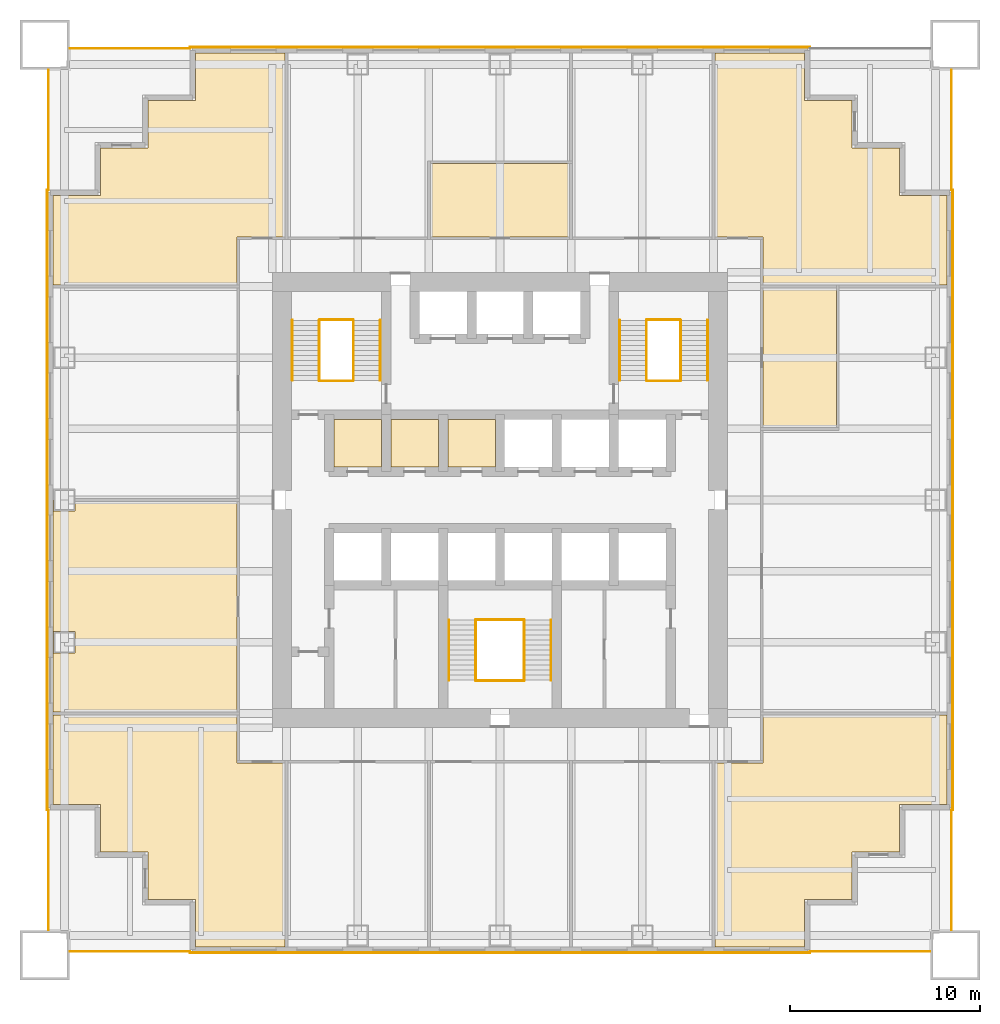
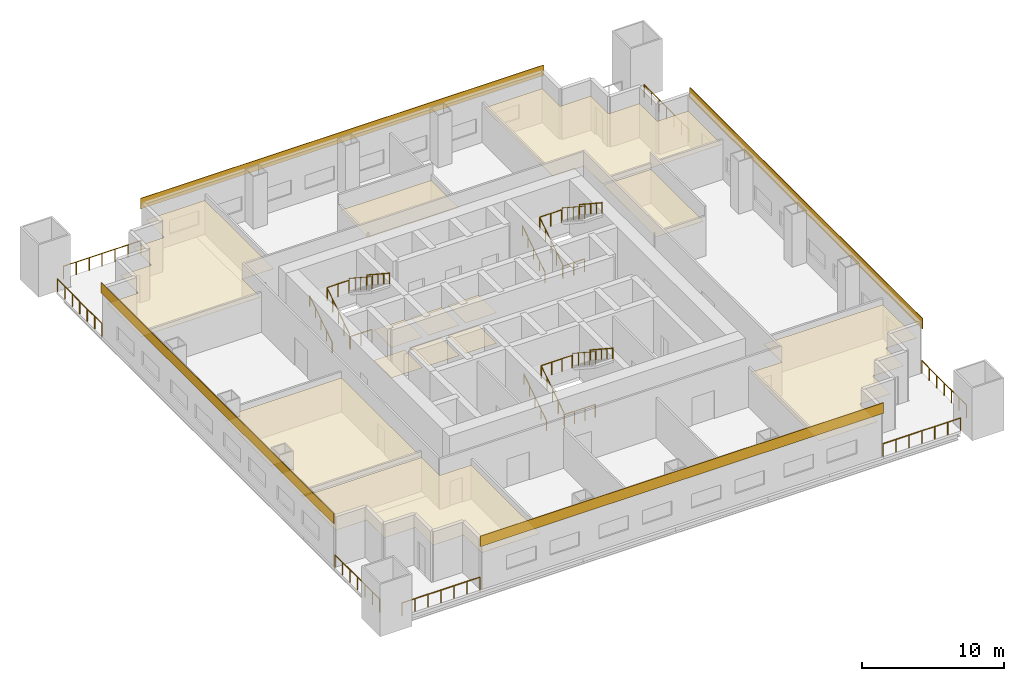
# One storey, part 6 of 7: 25 railings, 17 coverings.
"""IFC4 building model written with IfcOpenShell, lengths in metres."""

import ifcopenshell
import ifcopenshell.guid

model = None  # the IFC model being written
_history = None  # IfcOwnerHistory: only IFC2X3 demands one
_inside = {}  # id of a spatial element -> (the spatial element, [elements in it])
_under = {}  # id of a project, library or spatial element -> (it, [spatial elements below it])
_declared = {}  # id of a project -> (the project, [libraries it declares])
_typed = {}  # id of a type object -> (the type object, [elements of that type])
_made_of = {}  # id of a material, layer set ... -> (it, [elements and type objects made of it])


def new_model(schema):
    """Start an empty IFC model of exactly this schema.

    Asked for "IFC4X3", IfcOpenShell would pick the latest addendum, in which some entities
    have other attributes; the version numbers below select the first issue.
    IFC2X3 requires an IfcOwnerHistory on every rooted entity: one is made here for all.
    """
    global model, _history
    if schema == "IFC4X3":
        model = ifcopenshell.file(schema_version=(4, 3, 0, 0))
    else:
        model = ifcopenshell.file(schema=schema)
    _inside.clear()
    _under.clear()
    _declared.clear()
    _typed.clear()
    _made_of.clear()
    _history = None
    if model.schema == "IFC2X3":
        org = make("IfcOrganization", Name="unknown")
        user = make(
            "IfcPersonAndOrganization",
            ThePerson=make("IfcPerson", FamilyName="unknown"),
            TheOrganization=org,
        )
        app = make(
            "IfcApplication",
            ApplicationDeveloper=org,
            Version="unknown",
            ApplicationFullName="unknown",
            ApplicationIdentifier="unknown",
        )
        _history = make(
            "IfcOwnerHistory",
            OwningUser=user,
            OwningApplication=app,
            ChangeAction="ADDED",
            CreationDate=0,
        )
    return model


def make(cls, **values):
    """One entity of the class cls with the attributes given. An attribute that is None is left unset."""
    return model.create_entity(
        cls, **{name: value for name, value in values.items() if value is not None}
    )


def rooted(cls, **values):
    """An entity with a GlobalId (a new one), such as an element, a storey or a relation."""
    return make(cls, GlobalId=ifcopenshell.guid.new(), OwnerHistory=_history, **values)


def si_unit(unit_type, name, prefix=None):
    """IfcSIUnit, for example si_unit("LENGTHUNIT", "METRE", prefix="MILLI")."""
    return make("IfcSIUnit", UnitType=unit_type, Prefix=prefix, Name=name)


def assignment(units):
    """IfcUnitAssignment: the units of a project."""
    return None if units is None else make("IfcUnitAssignment", Units=units)


def point(xyz):
    """IfcCartesianPoint."""
    return None if xyz is None else make("IfcCartesianPoint", Coordinates=xyz)


def direction(xyz):
    """IfcDirection."""
    return None if xyz is None else make("IfcDirection", DirectionRatios=xyz)


def frame(location, z_axis=None, x_axis=None):
    """IfcAxis2Placement3D, a coordinate frame: its origin and axes. An axis left out is left unset."""
    return make(
        "IfcAxis2Placement3D",
        Location=point(location),
        Axis=direction(z_axis),
        RefDirection=direction(x_axis),
    )


def frame_2d(location, x_axis=None):
    """IfcAxis2Placement2D, a coordinate frame in the plane: its origin and x axis."""
    return make(
        "IfcAxis2Placement2D", Location=point(location), RefDirection=direction(x_axis)
    )


def origin():
    """The frame at (0, 0, 0) with its axes left unset."""
    return frame((0.0, 0.0, 0.0))


def origin_2d():
    """The frame at (0, 0) in the plane with its x axis left unset."""
    return frame_2d((0.0, 0.0))


def place(relative_to, where):
    """IfcLocalPlacement: puts the frame where relative to a parent placement (None: the world)."""
    return make(
        "IfcLocalPlacement", PlacementRelTo=relative_to, RelativePlacement=where
    )


def context(
    kind, dimensions, precision=None, world=None, true_north=None, identifier=None
):
    """IfcGeometricRepresentationContext, for example the 3D "Model" context."""
    return make(
        "IfcGeometricRepresentationContext",
        ContextIdentifier=identifier,
        ContextType=kind,
        CoordinateSpaceDimension=dimensions,
        Precision=precision,
        WorldCoordinateSystem=world,
        TrueNorth=true_north,
    )


def subcontext(parent, identifier, kind, view, scale=None):
    """IfcGeometricRepresentationSubContext, for example "Body" below "Model"."""
    return make(
        "IfcGeometricRepresentationSubContext",
        ContextIdentifier=identifier,
        ContextType=kind,
        ParentContext=parent,
        TargetScale=scale,
        TargetView=view,
    )


def project(units=None, contexts=None):
    """IfcProject with its units and contexts."""
    return rooted(
        "IfcProject",
        Name="project",
        RepresentationContexts=contexts,
        UnitsInContext=assignment(units),
    )


def spatial(cls, under=None, at=None, **own):
    """A site, building, storey or space (cls), placed at a placement, below another one or the project."""
    s = rooted(cls, ObjectPlacement=at, **own)
    if under is not None:
        _under.setdefault(under.id(), (under, []))[1].append(s)
    return s


def polyline(points):
    """IfcPolyline through the points."""
    return make("IfcPolyline", Points=[point(p) for p in points])


def profile(cls, at=None, kind="AREA", **sizes):
    """A parametric profile (cls). Its sizes go by their IFC names, for example OverallWidth=200.0."""
    return make(cls, ProfileType=kind, Position=at, **sizes)


def rectangle(**sizes):
    """IfcRectangleProfileDef."""
    return profile("IfcRectangleProfileDef", **sizes)


def circle(**sizes):
    """IfcCircleProfileDef."""
    return profile("IfcCircleProfileDef", **sizes)


def outline(outer, holes=None, kind="AREA"):
    """IfcArbitraryClosedProfileDef: a profile drawn as a closed curve; with holes, ...WithVoids."""
    if holes is None:
        return make("IfcArbitraryClosedProfileDef", ProfileType=kind, OuterCurve=outer)
    return make(
        "IfcArbitraryProfileDefWithVoids",
        ProfileType=kind,
        OuterCurve=outer,
        InnerCurves=holes,
    )


def extrude(swept, where, along, depth):
    """IfcExtrudedAreaSolid: the profile swept, set in the frame where, extruded along a direction by depth."""
    return make(
        "IfcExtrudedAreaSolid",
        SweptArea=swept,
        Position=where,
        ExtrudedDirection=direction(along),
        Depth=depth,
    )


def shape(context_of_items, identifier, shape_type, items):
    """IfcShapeRepresentation: the items that make up one representation, for example the "Body"."""
    return make(
        "IfcShapeRepresentation",
        ContextOfItems=context_of_items,
        RepresentationIdentifier=identifier,
        RepresentationType=shape_type,
        Items=items,
    )


def material(Name=None, Category=None):
    """IfcMaterial."""
    return make("IfcMaterial", Name=Name, Category=Category)


def layer(
    of_material, thickness, ventilated=None, Name=None, Category=None, Priority=None
):
    """IfcMaterialLayer: one layer of a wall or slab, of a material (None: an air gap)."""
    return make(
        "IfcMaterialLayer",
        Material=of_material,
        LayerThickness=thickness,
        IsVentilated=ventilated,
        Name=Name,
        Category=Category,
        Priority=Priority,
    )


def layer_set(layers, Name=None):
    """IfcMaterialLayerSet."""
    return make("IfcMaterialLayerSet", MaterialLayers=layers, LayerSetName=Name)


def made_of(thing, what):
    """Note that an element or type object is made of a material, layer set ...; save() writes the relation."""
    if what is not None:
        _made_of.setdefault(what.id(), (what, []))[1].append(thing)
    return thing


def type_object(cls, material=None, **own):
    """A type object (cls), such as IfcWallType, which elements share."""
    return made_of(rooted(cls, **own), material)


def element(
    cls,
    number,
    at=None,
    inside=None,
    cuts=None,
    type_object=None,
    material=None,
    context=None,
    identifier="Body",
    shape_type=None,
    held_by="IfcProductDefinitionShape",
    body=None,
    shapes=None,
    **own,
):
    """One element of the class cls, such as IfcWall. Its Tag is "e" and its number.

    at: its placement. inside: the storey or other place that contains it. cuts: it is an
    opening in that element (IfcRelVoidsElement). A single representation is given by context,
    identifier, shape_type and body (its items); several are given by shapes. held_by: the class
    of the entity that holds the representations. save() writes the other relations.
    """
    e = rooted(cls, Tag="e%d" % number, ObjectPlacement=at, **own)
    if body is not None:
        shapes = [shape(context, identifier, shape_type, body)]
    if shapes is not None:
        e.Representation = make(held_by, Representations=shapes)
    if inside is not None:
        _inside.setdefault(inside.id(), (inside, []))[1].append(e)
    if cuts is not None:
        rooted(
            "IfcRelVoidsElement", RelatingBuildingElement=cuts, RelatedOpeningElement=e
        )
    if type_object is not None:
        _typed.setdefault(type_object.id(), (type_object, []))[1].append(e)
    return made_of(e, material)


def aggregate(whole, parts):
    """IfcRelAggregates: a whole, such as a stair, and the parts it consists of."""
    return rooted("IfcRelAggregates", RelatingObject=whole, RelatedObjects=parts)


def save(model, path):
    """Write the relations noted so far, then the file.

    IfcRelAggregates (storeys below a building ...), IfcRelContainedInSpatialStructure (elements
    in a storey), IfcRelDefinesByType, IfcRelAssociatesMaterial and IfcRelDeclares: one each for
    every whole, place, type object, material and project.
    """
    for whole, parts in _under.values():
        aggregate(whole, parts)
    for where, things in _inside.values():
        rooted(
            "IfcRelContainedInSpatialStructure",
            RelatedElements=things,
            RelatingStructure=where,
        )
    for kind, things in _typed.values():
        rooted("IfcRelDefinesByType", RelatedObjects=things, RelatingType=kind)
    for what, things in _made_of.values():
        rooted("IfcRelAssociatesMaterial", RelatedObjects=things, RelatingMaterial=what)
    for by, libraries in _declared.values():
        rooted("IfcRelDeclares", RelatingContext=by, RelatedDefinitions=libraries)
    model.write(path)


model = new_model("IFC4")

# Units and contexts
model_context = context("Model", 3, precision=1e-05, world=origin(), true_north=direction((0.0, 1.0)))
body_context = subcontext(model_context, "Body", "Model", "MODEL_VIEW")
ifc_project = project(units=[si_unit("LENGTHUNIT", "METRE"), si_unit("AREAUNIT", "SQUARE_METRE"), si_unit("VOLUMEUNIT", "CUBIC_METRE"), si_unit("PLANEANGLEUNIT", "RADIAN"), si_unit("MASSUNIT", "GRAM", prefix="KILO")], contexts=[model_context])

# Site, building, storey
site_placement = place(None, origin())
site = spatial("IfcSite", under=ifc_project, at=site_placement, CompositionType="ELEMENT")
building_placement = place(site_placement, origin())
building = spatial("IfcBuilding", under=site, at=building_placement, Name="Tarangal Relay Tower", CompositionType="ELEMENT")
storey_placement = place(building_placement, frame((0.0, 0.0, 131.39990234375)))
storey = spatial("IfcBuildingStorey", under=building, at=storey_placement, Name="L26", CompositionType="ELEMENT", Elevation=131.39990234375)

# Coverings
ifc_material_1 = material(Name="Anti-static vinyl flooring", Category="plastic")
ifc_layer_1 = layer(ifc_material_1, 0.010009765625)
ifc_layer_set_1 = layer_set([ifc_layer_1], Name="Anti-static vinyl floor")
covering_type_1 = type_object("IfcCoveringType", Name="Anti-static vinyl floor", PredefinedType="FLOORING", material=ifc_layer_set_1)
covering_1_placement = place(storey_placement, origin())
element("IfcCovering", 1, at=covering_1_placement, inside=storey, type_object=covering_type_1, Name="Floor finish FL1 L26-D1", PredefinedType="FLOORING", context=body_context, shape_type="SweptSolid", body=[
    extrude(outline(polyline([(-8.75, 1.75), (-6.25, 1.75), (-6.25, 4.25), (-8.75, 4.25), (-8.75, 1.75)])), origin(), (0.0, 0.0, 1.0), 0.010009765625),
])
covering_2_placement = place(storey_placement, origin())
element("IfcCovering", 2, at=covering_2_placement, inside=storey, type_object=covering_type_1, Name="Floor finish FL1 L26-D2", PredefinedType="FLOORING", context=body_context, shape_type="SweptSolid", body=[
    extrude(outline(polyline([(-5.75, 1.75), (-3.25, 1.75), (-3.25, 4.25), (-5.75, 4.25), (-5.75, 1.75)])), origin(), (0.0, 0.0, 1.0), 0.010009765625),
])
covering_3_placement = place(storey_placement, origin())
element("IfcCovering", 3, at=covering_3_placement, inside=storey, type_object=covering_type_1, Name="Floor finish FL1 L26-D3", PredefinedType="FLOORING", context=body_context, shape_type="SweptSolid", body=[
    extrude(outline(polyline([(-2.75, 1.75), (-0.25, 1.75), (-0.25, 4.25), (-2.75, 4.25), (-2.75, 1.75)])), origin(), (0.0, 0.0, 1.0), 0.010009765625),
])
ifc_material_2 = material(Name="Black anodised aluminium cladding", Category="aluminium")
ifc_layer_2 = layer(ifc_material_2, 0.050048828125)
ifc_layer_set_2 = layer_set([ifc_layer_2], Name="Black metal spandrel band")
covering_type_2 = type_object("IfcCoveringType", Name="Black metal spandrel band", PredefinedType="CLADDING", material=ifc_layer_set_2)
for number, where, z_axis, x_axis, name in (
    (4, (0.0, 23.875, 3.750244140625), (0.0, 0.0, 1.0), (1.0, 0.0, 0.0), "Spandrel band SB1 N L26"),
    (5, (23.875, 0.0, 3.750244140625), (0.0, 0.0, 1.0), (0.0, -1.0, 0.0), "Spandrel band SB1 E L26"),
    (6, (0.0, -23.875, 3.750244140625), (0.0, 0.0, 1.0), (-1.0, 0.0, 0.0), "Spandrel band SB1 S L26"),
    (7, (-23.875, 0.0, 3.750244140625), (0.0, 0.0, 1.0), (0.0, 1.0, 0.0), "Spandrel band SB1 W L26"),
):
    element("IfcCovering", number, at=place(storey_placement, frame(where, z_axis=z_axis, x_axis=x_axis)), inside=storey, type_object=covering_type_2, Name=name, PredefinedType="CLADDING", context=body_context, shape_type="SweptSolid", body=[
        extrude(rectangle(XDim=32.699951171875, YDim=0.050048828125, at=origin_2d()), origin(), (0.0, 0.0, 1.0), 0.89990234375),
    ])

# Railings
ifc_material_3 = material(Name="Steel guard, black finish", Category="steel")
railing_type_1 = type_object("IfcRailingType", Name="Stair guard 1100", PredefinedType="GUARDRAIL", material=ifc_material_3)
railing_1_placement = place(storey_placement, frame((-9.530029296875, 6.300048828125, 0.173095703125)))
element("IfcRailing", 8, at=railing_1_placement, inside=storey, type_object=railing_type_1, Name="Stair ST-A guard GR1 L26 flight 1", PredefinedType="GUARDRAIL", context=body_context, shape_type="SweptSolid", body=[
    extrude(circle(Radius=0.02392578125, at=origin_2d()), frame((0.0, 0.0, 1.076171875), z_axis=(0.0, 0.83629911093, 0.548273469226), x_axis=(-1.0, 0.0, 0.0)), (0.0, 0.0, 1.0), 3.7880859375),
    extrude(circle(Radius=0.02099609375, at=origin_2d()), origin(), (0.0, 0.0, 1.0), 1.052001953125),
    extrude(circle(Radius=0.02099609375, at=origin_2d()), frame((0.0, 0.7919921875, 0.519287109375)), (0.0, 0.0, 1.0), 1.052001953125),
    extrude(circle(Radius=0.02099609375, at=origin_2d()), frame((0.0, 1.583984375, 1.03857421875)), (0.0, 0.0, 1.0), 1.052001953125),
    extrude(circle(Radius=0.02099609375, at=origin_2d()), frame((0.0, 2.3759765625, 1.5576171875)), (0.0, 0.0, 1.0), 1.052001953125),
    extrude(circle(Radius=0.02099609375, at=origin_2d()), frame((0.0, 3.16796875, 2.076904296875)), (0.0, 0.0, 1.0), 1.052001953125),
])
railing_2_placement = place(storey_placement, frame((-7.719970703125, 9.468017578125, 2.423095703125)))
element("IfcRailing", 9, at=railing_2_placement, inside=storey, type_object=railing_type_1, Name="Stair ST-A guard GR1 L26 flight 2", PredefinedType="GUARDRAIL", context=body_context, shape_type="SweptSolid", body=[
    extrude(circle(Radius=0.02392578125, at=origin_2d()), frame((0.0, 0.0, 1.076171875), z_axis=(0.0, -0.83629911093, 0.548273469226), x_axis=(1.0, 0.0, 0.0)), (0.0, 0.0, 1.0), 3.7880859375),
    extrude(circle(Radius=0.02099609375, at=origin_2d()), origin(), (0.0, 0.0, 1.0), 1.052001953125),
    extrude(circle(Radius=0.02099609375, at=origin_2d()), frame((0.0, -0.7919921875, 0.519287109375)), (0.0, 0.0, 1.0), 1.052001953125),
    extrude(circle(Radius=0.02099609375, at=origin_2d()), frame((0.0, -1.583984375, 1.03857421875)), (0.0, 0.0, 1.0), 1.052001953125),
    extrude(circle(Radius=0.02099609375, at=origin_2d()), frame((0.0, -2.3759765625, 1.5576171875)), (0.0, 0.0, 1.0), 1.052001953125),
    extrude(circle(Radius=0.02099609375, at=origin_2d()), frame((0.0, -3.16796875, 2.076904296875)), (0.0, 0.0, 1.0), 1.052001953125),
])
for number, where, name in (
    (10, (-9.5, 6.27001953125, 0.0), "Stair ST-A landing guard GR1 L26"),
    (11, (-9.5, 9.498046875, 2.25), "Stair ST-A landing guard GR1 L26"),
):
    element("IfcRailing", number, at=place(storey_placement, frame(where)), inside=storey, type_object=railing_type_1, Name=name, PredefinedType="GUARDRAIL", context=body_context, shape_type="SweptSolid", body=[
        extrude(circle(Radius=0.02392578125, at=origin_2d()), frame((0.0, 0.0, 1.076171875), z_axis=(1.0, 0.0, 0.0), x_axis=(0.0, 1.0, 0.0)), (0.0, 0.0, 1.0), 1.75),
        extrude(circle(Radius=0.02099609375, at=origin_2d()), origin(), (0.0, 0.0, 1.0), 1.052001953125),
        extrude(circle(Radius=0.02099609375, at=origin_2d()), frame((0.875, 0.0, 0.0)), (0.0, 0.0, 1.0), 1.052001953125),
        extrude(circle(Radius=0.02099609375, at=origin_2d()), frame((1.75, 0.0, 0.0)), (0.0, 0.0, 1.0), 1.052001953125),
    ])
railing_3_placement = place(storey_placement, frame((7.719970703125, 6.300048828125, 0.173095703125)))
element("IfcRailing", 12, at=railing_3_placement, inside=storey, type_object=railing_type_1, Name="Stair ST-B guard GR1 L26 flight 1", PredefinedType="GUARDRAIL", context=body_context, shape_type="SweptSolid", body=[
    extrude(circle(Radius=0.02392578125, at=origin_2d()), frame((0.0, 0.0, 1.076171875), z_axis=(0.0, 0.83629911093, 0.548273469226), x_axis=(-1.0, 0.0, 0.0)), (0.0, 0.0, 1.0), 3.7880859375),
    extrude(circle(Radius=0.02099609375, at=origin_2d()), origin(), (0.0, 0.0, 1.0), 1.052001953125),
    extrude(circle(Radius=0.02099609375, at=origin_2d()), frame((0.0, 0.7919921875, 0.519287109375)), (0.0, 0.0, 1.0), 1.052001953125),
    extrude(circle(Radius=0.02099609375, at=origin_2d()), frame((0.0, 1.583984375, 1.03857421875)), (0.0, 0.0, 1.0), 1.052001953125),
    extrude(circle(Radius=0.02099609375, at=origin_2d()), frame((0.0, 2.3759765625, 1.5576171875)), (0.0, 0.0, 1.0), 1.052001953125),
    extrude(circle(Radius=0.02099609375, at=origin_2d()), frame((0.0, 3.16796875, 2.076904296875)), (0.0, 0.0, 1.0), 1.052001953125),
])
railing_4_placement = place(storey_placement, frame((9.530029296875, 9.468017578125, 2.423095703125)))
element("IfcRailing", 13, at=railing_4_placement, inside=storey, type_object=railing_type_1, Name="Stair ST-B guard GR1 L26 flight 2", PredefinedType="GUARDRAIL", context=body_context, shape_type="SweptSolid", body=[
    extrude(circle(Radius=0.02392578125, at=origin_2d()), frame((0.0, 0.0, 1.076171875), z_axis=(0.0, -0.83629911093, 0.548273469226), x_axis=(1.0, 0.0, 0.0)), (0.0, 0.0, 1.0), 3.7880859375),
    extrude(circle(Radius=0.02099609375, at=origin_2d()), origin(), (0.0, 0.0, 1.0), 1.052001953125),
    extrude(circle(Radius=0.02099609375, at=origin_2d()), frame((0.0, -0.7919921875, 0.519287109375)), (0.0, 0.0, 1.0), 1.052001953125),
    extrude(circle(Radius=0.02099609375, at=origin_2d()), frame((0.0, -1.583984375, 1.03857421875)), (0.0, 0.0, 1.0), 1.052001953125),
    extrude(circle(Radius=0.02099609375, at=origin_2d()), frame((0.0, -2.3759765625, 1.5576171875)), (0.0, 0.0, 1.0), 1.052001953125),
    extrude(circle(Radius=0.02099609375, at=origin_2d()), frame((0.0, -3.16796875, 2.076904296875)), (0.0, 0.0, 1.0), 1.052001953125),
])
for number, where, name in (
    (14, (7.75, 6.27001953125, 0.0), "Stair ST-B landing guard GR1 L26"),
    (15, (7.75, 9.498046875, 2.25), "Stair ST-B landing guard GR1 L26"),
):
    element("IfcRailing", number, at=place(storey_placement, frame(where)), inside=storey, type_object=railing_type_1, Name=name, PredefinedType="GUARDRAIL", context=body_context, shape_type="SweptSolid", body=[
        extrude(circle(Radius=0.02392578125, at=origin_2d()), frame((0.0, 0.0, 1.076171875), z_axis=(1.0, 0.0, 0.0), x_axis=(0.0, 1.0, 0.0)), (0.0, 0.0, 1.0), 1.75),
        extrude(circle(Radius=0.02099609375, at=origin_2d()), origin(), (0.0, 0.0, 1.0), 1.052001953125),
        extrude(circle(Radius=0.02099609375, at=origin_2d()), frame((0.875, 0.0, 0.0)), (0.0, 0.0, 1.0), 1.052001953125),
        extrude(circle(Radius=0.02099609375, at=origin_2d()), frame((1.75, 0.0, 0.0)), (0.0, 0.0, 1.0), 1.052001953125),
    ])
railing_5_placement = place(storey_placement, frame((-1.280029296875, -9.5, 0.173095703125)))
element("IfcRailing", 16, at=railing_5_placement, inside=storey, type_object=railing_type_1, Name="Stair ST-C guard GR1 L26 flight 1", PredefinedType="GUARDRAIL", context=body_context, shape_type="SweptSolid", body=[
    extrude(circle(Radius=0.02392578125, at=origin_2d()), frame((0.0, 0.0, 1.076171875), z_axis=(0.0, 0.83629911093, 0.548273469226), x_axis=(-1.0, 0.0, 0.0)), (0.0, 0.0, 1.0), 3.7880859375),
    extrude(circle(Radius=0.02099609375, at=origin_2d()), origin(), (0.0, 0.0, 1.0), 1.052001953125),
    extrude(circle(Radius=0.02099609375, at=origin_2d()), frame((0.0, 0.7919921875, 0.519287109375)), (0.0, 0.0, 1.0), 1.052001953125),
    extrude(circle(Radius=0.02099609375, at=origin_2d()), frame((0.0, 1.583984375, 1.03857421875)), (0.0, 0.0, 1.0), 1.052001953125),
    extrude(circle(Radius=0.02099609375, at=origin_2d()), frame((0.0, 2.3759765625, 1.5576171875)), (0.0, 0.0, 1.0), 1.052001953125),
    extrude(circle(Radius=0.02099609375, at=origin_2d()), frame((0.0, 3.16796875, 2.076904296875)), (0.0, 0.0, 1.0), 1.052001953125),
])
railing_6_placement = place(storey_placement, frame((1.280029296875, -6.33203125, 2.423095703125)))
element("IfcRailing", 17, at=railing_6_placement, inside=storey, type_object=railing_type_1, Name="Stair ST-C guard GR1 L26 flight 2", PredefinedType="GUARDRAIL", context=body_context, shape_type="SweptSolid", body=[
    extrude(circle(Radius=0.02392578125, at=origin_2d()), frame((0.0, 0.0, 1.076171875), z_axis=(0.0, -0.83629911093, 0.548273469226), x_axis=(1.0, 0.0, 0.0)), (0.0, 0.0, 1.0), 3.7880859375),
    extrude(circle(Radius=0.02099609375, at=origin_2d()), origin(), (0.0, 0.0, 1.0), 1.052001953125),
    extrude(circle(Radius=0.02099609375, at=origin_2d()), frame((0.0, -0.7919921875, 0.519287109375)), (0.0, 0.0, 1.0), 1.052001953125),
    extrude(circle(Radius=0.02099609375, at=origin_2d()), frame((0.0, -1.583984375, 1.03857421875)), (0.0, 0.0, 1.0), 1.052001953125),
    extrude(circle(Radius=0.02099609375, at=origin_2d()), frame((0.0, -2.3759765625, 1.5576171875)), (0.0, 0.0, 1.0), 1.052001953125),
    extrude(circle(Radius=0.02099609375, at=origin_2d()), frame((0.0, -3.16796875, 2.076904296875)), (0.0, 0.0, 1.0), 1.052001953125),
])
for number, where, name in (
    (18, (-1.25, -9.530029296875, 0.0), "Stair ST-C landing guard GR1 L26"),
    (19, (-1.25, -6.302001953125, 2.25), "Stair ST-C landing guard GR1 L26"),
):
    element("IfcRailing", number, at=place(storey_placement, frame(where)), inside=storey, type_object=railing_type_1, Name=name, PredefinedType="GUARDRAIL", context=body_context, shape_type="SweptSolid", body=[
        extrude(circle(Radius=0.02392578125, at=origin_2d()), frame((0.0, 0.0, 1.076171875), z_axis=(1.0, 0.0, 0.0), x_axis=(0.0, 1.0, 0.0)), (0.0, 0.0, 1.0), 2.5),
        extrude(circle(Radius=0.02099609375, at=origin_2d()), origin(), (0.0, 0.0, 1.0), 1.052001953125),
        extrude(circle(Radius=0.02099609375, at=origin_2d()), frame((0.833251953125, 0.0, 0.0)), (0.0, 0.0, 1.0), 1.052001953125),
        extrude(circle(Radius=0.02099609375, at=origin_2d()), frame((1.666748046875, 0.0, 0.0)), (0.0, 0.0, 1.0), 1.052001953125),
        extrude(circle(Radius=0.02099609375, at=origin_2d()), frame((2.5, 0.0, 0.0)), (0.0, 0.0, 1.0), 1.052001953125),
    ])
ifc_material_4 = material(Name="Steel handrail, black finish", Category="steel")
railing_type_2 = type_object("IfcRailingType", Name="Stair handrail 900", PredefinedType="HANDRAIL", material=ifc_material_4)
railing_7_placement = place(storey_placement, frame((-10.93994140625, 6.300048828125, 0.173095703125)))
element("IfcRailing", 20, at=railing_7_placement, inside=storey, type_object=railing_type_2, Name="Stair ST-A handrail HR1 L26 flight 1", PredefinedType="HANDRAIL", context=body_context, shape_type="SweptSolid", body=[
    extrude(circle(Radius=0.02392578125, at=origin_2d()), frame((0.0, 0.0, 0.8759765625), z_axis=(0.0, 0.83629911093, 0.548273469226), x_axis=(-1.0, 0.0, 0.0)), (0.0, 0.0, 1.0), 3.7880859375),
    extrude(circle(Radius=0.02099609375, at=origin_2d()), origin(), (0.0, 0.0, 1.0), 0.851806640625),
    extrude(circle(Radius=0.02099609375, at=origin_2d()), frame((0.0, 0.7919921875, 0.519287109375)), (0.0, 0.0, 1.0), 0.851806640625),
    extrude(circle(Radius=0.02099609375, at=origin_2d()), frame((0.0, 1.583984375, 1.03857421875)), (0.0, 0.0, 1.0), 0.851806640625),
    extrude(circle(Radius=0.02099609375, at=origin_2d()), frame((0.0, 2.3759765625, 1.5576171875)), (0.0, 0.0, 1.0), 0.851806640625),
    extrude(circle(Radius=0.02099609375, at=origin_2d()), frame((0.0, 3.16796875, 2.076904296875)), (0.0, 0.0, 1.0), 0.851806640625),
])
railing_8_placement = place(storey_placement, frame((-6.31005859375, 9.468017578125, 2.423095703125)))
element("IfcRailing", 21, at=railing_8_placement, inside=storey, type_object=railing_type_2, Name="Stair ST-A handrail HR1 L26 flight 2", PredefinedType="HANDRAIL", context=body_context, shape_type="SweptSolid", body=[
    extrude(circle(Radius=0.02392578125, at=origin_2d()), frame((0.0, 0.0, 0.8759765625), z_axis=(0.0, -0.83629911093, 0.548273469226), x_axis=(1.0, 0.0, 0.0)), (0.0, 0.0, 1.0), 3.7880859375),
    extrude(circle(Radius=0.02099609375, at=origin_2d()), origin(), (0.0, 0.0, 1.0), 0.851806640625),
    extrude(circle(Radius=0.02099609375, at=origin_2d()), frame((0.0, -0.7919921875, 0.519287109375)), (0.0, 0.0, 1.0), 0.851806640625),
    extrude(circle(Radius=0.02099609375, at=origin_2d()), frame((0.0, -1.583984375, 1.03857421875)), (0.0, 0.0, 1.0), 0.851806640625),
    extrude(circle(Radius=0.02099609375, at=origin_2d()), frame((0.0, -2.3759765625, 1.5576171875)), (0.0, 0.0, 1.0), 0.851806640625),
    extrude(circle(Radius=0.02099609375, at=origin_2d()), frame((0.0, -3.16796875, 2.076904296875)), (0.0, 0.0, 1.0), 0.851806640625),
])
railing_9_placement = place(storey_placement, frame((6.31005859375, 6.300048828125, 0.173095703125)))
element("IfcRailing", 22, at=railing_9_placement, inside=storey, type_object=railing_type_2, Name="Stair ST-B handrail HR1 L26 flight 1", PredefinedType="HANDRAIL", context=body_context, shape_type="SweptSolid", body=[
    extrude(circle(Radius=0.02392578125, at=origin_2d()), frame((0.0, 0.0, 0.8759765625), z_axis=(0.0, 0.83629911093, 0.548273469226), x_axis=(-1.0, 0.0, 0.0)), (0.0, 0.0, 1.0), 3.7880859375),
    extrude(circle(Radius=0.02099609375, at=origin_2d()), origin(), (0.0, 0.0, 1.0), 0.851806640625),
    extrude(circle(Radius=0.02099609375, at=origin_2d()), frame((0.0, 0.7919921875, 0.519287109375)), (0.0, 0.0, 1.0), 0.851806640625),
    extrude(circle(Radius=0.02099609375, at=origin_2d()), frame((0.0, 1.583984375, 1.03857421875)), (0.0, 0.0, 1.0), 0.851806640625),
    extrude(circle(Radius=0.02099609375, at=origin_2d()), frame((0.0, 2.3759765625, 1.5576171875)), (0.0, 0.0, 1.0), 0.851806640625),
    extrude(circle(Radius=0.02099609375, at=origin_2d()), frame((0.0, 3.16796875, 2.076904296875)), (0.0, 0.0, 1.0), 0.851806640625),
])
railing_10_placement = place(storey_placement, frame((10.93994140625, 9.468017578125, 2.423095703125)))
element("IfcRailing", 23, at=railing_10_placement, inside=storey, type_object=railing_type_2, Name="Stair ST-B handrail HR1 L26 flight 2", PredefinedType="HANDRAIL", context=body_context, shape_type="SweptSolid", body=[
    extrude(circle(Radius=0.02392578125, at=origin_2d()), frame((0.0, 0.0, 0.8759765625), z_axis=(0.0, -0.83629911093, 0.548273469226), x_axis=(1.0, 0.0, 0.0)), (0.0, 0.0, 1.0), 3.7880859375),
    extrude(circle(Radius=0.02099609375, at=origin_2d()), origin(), (0.0, 0.0, 1.0), 0.851806640625),
    extrude(circle(Radius=0.02099609375, at=origin_2d()), frame((0.0, -0.7919921875, 0.519287109375)), (0.0, 0.0, 1.0), 0.851806640625),
    extrude(circle(Radius=0.02099609375, at=origin_2d()), frame((0.0, -1.583984375, 1.03857421875)), (0.0, 0.0, 1.0), 0.851806640625),
    extrude(circle(Radius=0.02099609375, at=origin_2d()), frame((0.0, -2.3759765625, 1.5576171875)), (0.0, 0.0, 1.0), 0.851806640625),
    extrude(circle(Radius=0.02099609375, at=origin_2d()), frame((0.0, -3.16796875, 2.076904296875)), (0.0, 0.0, 1.0), 0.851806640625),
])
railing_11_placement = place(storey_placement, frame((-2.68994140625, -9.5, 0.173095703125)))
element("IfcRailing", 24, at=railing_11_placement, inside=storey, type_object=railing_type_2, Name="Stair ST-C handrail HR1 L26 flight 1", PredefinedType="HANDRAIL", context=body_context, shape_type="SweptSolid", body=[
    extrude(circle(Radius=0.02392578125, at=origin_2d()), frame((0.0, 0.0, 0.8759765625), z_axis=(0.0, 0.83629911093, 0.548273469226), x_axis=(-1.0, 0.0, 0.0)), (0.0, 0.0, 1.0), 3.7880859375),
    extrude(circle(Radius=0.02099609375, at=origin_2d()), origin(), (0.0, 0.0, 1.0), 0.851806640625),
    extrude(circle(Radius=0.02099609375, at=origin_2d()), frame((0.0, 0.7919921875, 0.519287109375)), (0.0, 0.0, 1.0), 0.851806640625),
    extrude(circle(Radius=0.02099609375, at=origin_2d()), frame((0.0, 1.583984375, 1.03857421875)), (0.0, 0.0, 1.0), 0.851806640625),
    extrude(circle(Radius=0.02099609375, at=origin_2d()), frame((0.0, 2.3759765625, 1.5576171875)), (0.0, 0.0, 1.0), 0.851806640625),
    extrude(circle(Radius=0.02099609375, at=origin_2d()), frame((0.0, 3.16796875, 2.076904296875)), (0.0, 0.0, 1.0), 0.851806640625),
])
railing_12_placement = place(storey_placement, frame((2.68994140625, -6.33203125, 2.423095703125)))
element("IfcRailing", 25, at=railing_12_placement, inside=storey, type_object=railing_type_2, Name="Stair ST-C handrail HR1 L26 flight 2", PredefinedType="HANDRAIL", context=body_context, shape_type="SweptSolid", body=[
    extrude(circle(Radius=0.02392578125, at=origin_2d()), frame((0.0, 0.0, 0.8759765625), z_axis=(0.0, -0.83629911093, 0.548273469226), x_axis=(1.0, 0.0, 0.0)), (0.0, 0.0, 1.0), 3.7880859375),
    extrude(circle(Radius=0.02099609375, at=origin_2d()), origin(), (0.0, 0.0, 1.0), 0.851806640625),
    extrude(circle(Radius=0.02099609375, at=origin_2d()), frame((0.0, -0.7919921875, 0.519287109375)), (0.0, 0.0, 1.0), 0.851806640625),
    extrude(circle(Radius=0.02099609375, at=origin_2d()), frame((0.0, -1.583984375, 1.03857421875)), (0.0, 0.0, 1.0), 0.851806640625),
    extrude(circle(Radius=0.02099609375, at=origin_2d()), frame((0.0, -2.3759765625, 1.5576171875)), (0.0, 0.0, 1.0), 0.851806640625),
    extrude(circle(Radius=0.02099609375, at=origin_2d()), frame((0.0, -3.16796875, 2.076904296875)), (0.0, 0.0, 1.0), 0.851806640625),
])

# Coverings
ifc_material_5 = material(Name="Mineral fibre ceiling tiles", Category="gypsum")
ifc_layer_3 = layer(ifc_material_5, 0.02001953125)
ifc_layer_set_3 = layer_set([ifc_layer_3], Name="Suspended ceiling")
covering_type_3 = type_object("IfcCoveringType", Name="Suspended ceiling", PredefinedType="CEILING", material=ifc_layer_set_3)
covering_4_placement = place(storey_placement, frame((0.0, 0.0, 2.60009765625)))
element("IfcCovering", 26, at=covering_4_placement, inside=storey, type_object=covering_type_3, Name="Suspended ceiling CL1 L26-D1", PredefinedType="CEILING", context=body_context, shape_type="SweptSolid", body=[
    extrude(outline(polyline([(-8.75, 1.75), (-6.25, 1.75), (-6.25, 4.25), (-8.75, 4.25), (-8.75, 1.75)])), origin(), (0.0, 0.0, 1.0), 0.02001953125),
])
covering_5_placement = place(storey_placement, frame((0.0, 0.0, 2.60009765625)))
element("IfcCovering", 27, at=covering_5_placement, inside=storey, type_object=covering_type_3, Name="Suspended ceiling CL1 L26-D2", PredefinedType="CEILING", context=body_context, shape_type="SweptSolid", body=[
    extrude(outline(polyline([(-5.75, 1.75), (-3.25, 1.75), (-3.25, 4.25), (-5.75, 4.25), (-5.75, 1.75)])), origin(), (0.0, 0.0, 1.0), 0.02001953125),
])
covering_6_placement = place(storey_placement, frame((0.0, 0.0, 2.60009765625)))
element("IfcCovering", 28, at=covering_6_placement, inside=storey, type_object=covering_type_3, Name="Suspended ceiling CL1 L26-D3", PredefinedType="CEILING", context=body_context, shape_type="SweptSolid", body=[
    extrude(outline(polyline([(-2.75, 1.75), (-0.25, 1.75), (-0.25, 4.25), (-2.75, 4.25), (-2.75, 1.75)])), origin(), (0.0, 0.0, 1.0), 0.02001953125),
])
covering_7_placement = place(storey_placement, frame((0.0, 0.0, 2.900146484375)))
element("IfcCovering", 29, at=covering_7_placement, inside=storey, type_object=covering_type_3, Name="Suspended ceiling CL1 L26-03", PredefinedType="CEILING", context=body_context, shape_type="SweptSolid", body=[
    extrude(outline(polyline([(-3.675048828125, 17.72509765625), (-3.675048828125, 13.875), (3.675048828125, 13.875), (3.675048828125, 17.72509765625), (-3.675048828125, 17.72509765625)])), origin(), (0.0, 0.0, 1.0), 0.02001953125),
])
covering_8_placement = place(storey_placement, frame((0.0, 0.0, 2.900146484375)))
element("IfcCovering", 30, at=covering_8_placement, inside=storey, type_object=covering_type_3, Name="Suspended ceiling CL1 L26-05", PredefinedType="CEILING", context=body_context, shape_type="SweptSolid", body=[
    extrude(outline(polyline([(17.72509765625, 3.824951171875), (17.72509765625, 11.175048828125), (13.875, 11.175048828125), (13.875, 3.824951171875), (17.72509765625, 3.824951171875)])), origin(), (0.0, 0.0, 1.0), 0.02001953125),
])
covering_9_placement = place(storey_placement, frame((0.0, 0.0, 2.900146484375)))
element("IfcCovering", 31, at=covering_9_placement, inside=storey, type_object=covering_type_3, Name="Suspended ceiling CL1 L26-10", PredefinedType="CEILING", context=body_context, shape_type="SweptSolid", body=[
    extrude(outline(polyline([(-23.550048828125, 0.0), (-23.550048828125, -11.175048828125), (-13.875, -11.175048828125), (-13.875, -0.074951171875), (-22.389892578125, -0.074951171875), (-22.389892578125, -0.574951171875), (-23.5400390625, -0.574951171875), (-23.5400390625, 0.0), (-23.550048828125, 0.0)]), holes=[polyline([(-22.389892578125, -8.074951171875), (-22.389892578125, -6.925048828125), (-23.5400390625, -6.925048828125), (-23.5400390625, -8.074951171875), (-22.389892578125, -8.074951171875)])]), origin(), (0.0, 0.0, 1.0), 0.02001953125),
])
covering_10_placement = place(storey_placement, frame((0.0, 0.0, 2.900146484375)))
element("IfcCovering", 32, at=covering_10_placement, inside=storey, type_object=covering_type_3, Name="Suspended ceiling CL1 L26-12", PredefinedType="CEILING", context=body_context, shape_type="SweptSolid", body=[
    extrude(outline(polyline([(16.050048828125, 23.550048828125), (11.324951171875, 23.550048828125), (11.324951171875, 13.875), (13.875, 13.875), (13.875, 11.324951171875), (23.550048828125, 11.324951171875), (23.550048828125, 16.050048828125), (21.050048828125, 16.050048828125), (21.050048828125, 18.550048828125), (18.550048828125, 18.550048828125), (18.550048828125, 21.050048828125), (16.050048828125, 21.050048828125), (16.050048828125, 23.550048828125)])), origin(), (0.0, 0.0, 1.0), 0.02001953125),
])
covering_11_placement = place(storey_placement, frame((0.0, 0.0, 2.900146484375)))
element("IfcCovering", 33, at=covering_11_placement, inside=storey, type_object=covering_type_3, Name="Suspended ceiling CL1 L26-13", PredefinedType="CEILING", context=body_context, shape_type="SweptSolid", body=[
    extrude(outline(polyline([(23.550048828125, -16.050048828125), (23.550048828125, -11.324951171875), (13.875, -11.324951171875), (13.875, -13.875), (11.324951171875, -13.875), (11.324951171875, -23.550048828125), (16.050048828125, -23.550048828125), (16.050048828125, -21.050048828125), (18.550048828125, -21.050048828125), (18.550048828125, -18.550048828125), (21.050048828125, -18.550048828125), (21.050048828125, -16.050048828125), (23.550048828125, -16.050048828125)])), origin(), (0.0, 0.0, 1.0), 0.02001953125),
])
covering_12_placement = place(storey_placement, frame((0.0, 0.0, 2.900146484375)))
element("IfcCovering", 34, at=covering_12_placement, inside=storey, type_object=covering_type_3, Name="Suspended ceiling CL1 L26-14", PredefinedType="CEILING", context=body_context, shape_type="SweptSolid", body=[
    extrude(outline(polyline([(-16.050048828125, -21.050048828125), (-16.050048828125, -23.550048828125), (-11.324951171875, -23.550048828125), (-11.324951171875, -13.875), (-13.875, -13.875), (-13.875, -11.324951171875), (-23.550048828125, -11.324951171875), (-23.550048828125, -16.050048828125), (-21.050048828125, -16.050048828125), (-21.050048828125, -18.550048828125), (-18.550048828125, -18.550048828125), (-18.550048828125, -21.050048828125), (-16.050048828125, -21.050048828125)])), origin(), (0.0, 0.0, 1.0), 0.02001953125),
])
covering_13_placement = place(storey_placement, frame((0.0, 0.0, 2.900146484375)))
element("IfcCovering", 35, at=covering_13_placement, inside=storey, type_object=covering_type_3, Name="Suspended ceiling CL1 L26-15", PredefinedType="CEILING", context=body_context, shape_type="SweptSolid", body=[
    extrude(outline(polyline([(-21.050048828125, 16.050048828125), (-23.550048828125, 16.050048828125), (-23.550048828125, 11.324951171875), (-13.875, 11.324951171875), (-13.875, 13.875), (-11.324951171875, 13.875), (-11.324951171875, 23.550048828125), (-16.050048828125, 23.550048828125), (-16.050048828125, 21.050048828125), (-18.550048828125, 21.050048828125), (-18.550048828125, 18.550048828125), (-21.050048828125, 18.550048828125), (-21.050048828125, 16.050048828125)])), origin(), (0.0, 0.0, 1.0), 0.02001953125),
])

# Railings
ifc_material_6 = material(Name="Black steel guard with glass infill", Category="steel")
railing_type_3 = type_object("IfcRailingType", Name="Terrace guard 1100", PredefinedType="GUARDRAIL", material=ifc_material_6)
for number, where, name in (
    (36, (23.800048828125, 22.64990234375, 0.0), "Terrace guard GR2 NE L26"),
    (37, (23.800048828125, -16.35009765625, 0.0), "Terrace guard GR2 SE L26"),
):
    element("IfcRailing", number, at=place(storey_placement, frame(where)), inside=storey, type_object=railing_type_3, Name=name, PredefinedType="GUARDRAIL", context=body_context, shape_type="SweptSolid", body=[
        extrude(circle(Radius=0.02392578125, at=origin_2d()), frame((0.0, 0.0, 1.076171875), z_axis=(0.0, -1.0, 0.0), x_axis=(1.0, 0.0, 0.0)), (0.0, 0.0, 1.0), 6.2998046875),
        extrude(circle(Radius=0.02099609375, at=origin_2d()), origin(), (0.0, 0.0, 1.0), 1.052001953125),
        extrude(circle(Radius=0.02099609375, at=origin_2d()), frame((0.0, -1.050048828125, 0.0)), (0.0, 0.0, 1.0), 1.052001953125),
        extrude(circle(Radius=0.02099609375, at=origin_2d()), frame((0.0, -2.099853515625, 0.0)), (0.0, 0.0, 1.0), 1.052001953125),
        extrude(circle(Radius=0.02099609375, at=origin_2d()), frame((0.0, -3.14990234375, 0.0)), (0.0, 0.0, 1.0), 1.052001953125),
        extrude(circle(Radius=0.02099609375, at=origin_2d()), frame((0.0, -4.199951171875, 0.0)), (0.0, 0.0, 1.0), 1.052001953125),
        extrude(circle(Radius=0.02099609375, at=origin_2d()), frame((0.0, -5.249755859375, 0.0)), (0.0, 0.0, 1.0), 1.052001953125),
        extrude(circle(Radius=0.02099609375, at=origin_2d()), frame((0.0, -6.2998046875, 0.0)), (0.0, 0.0, 1.0), 1.052001953125),
    ])
for number, where, name in (
    (38, (22.64990234375, -23.800048828125, 0.0), "Terrace guard GR2 SE L26"),
    (39, (-16.35009765625, -23.800048828125, 0.0), "Terrace guard GR2 SW L26"),
):
    element("IfcRailing", number, at=place(storey_placement, frame(where)), inside=storey, type_object=railing_type_3, Name=name, PredefinedType="GUARDRAIL", context=body_context, shape_type="SweptSolid", body=[
        extrude(circle(Radius=0.02392578125, at=origin_2d()), frame((0.0, 0.0, 1.076171875), z_axis=(-1.0, 0.0, 0.0), x_axis=(0.0, -1.0, 0.0)), (0.0, 0.0, 1.0), 6.2998046875),
        extrude(circle(Radius=0.02099609375, at=origin_2d()), origin(), (0.0, 0.0, 1.0), 1.052001953125),
        extrude(circle(Radius=0.02099609375, at=origin_2d()), frame((-1.050048828125, 0.0, 0.0)), (0.0, 0.0, 1.0), 1.052001953125),
        extrude(circle(Radius=0.02099609375, at=origin_2d()), frame((-2.099853515625, 0.0, 0.0)), (0.0, 0.0, 1.0), 1.052001953125),
        extrude(circle(Radius=0.02099609375, at=origin_2d()), frame((-3.14990234375, 0.0, 0.0)), (0.0, 0.0, 1.0), 1.052001953125),
        extrude(circle(Radius=0.02099609375, at=origin_2d()), frame((-4.199951171875, 0.0, 0.0)), (0.0, 0.0, 1.0), 1.052001953125),
        extrude(circle(Radius=0.02099609375, at=origin_2d()), frame((-5.249755859375, 0.0, 0.0)), (0.0, 0.0, 1.0), 1.052001953125),
        extrude(circle(Radius=0.02099609375, at=origin_2d()), frame((-6.2998046875, 0.0, 0.0)), (0.0, 0.0, 1.0), 1.052001953125),
    ])
for number, where, name in (
    (40, (-23.800048828125, -22.64990234375, 0.0), "Terrace guard GR2 SW L26"),
    (41, (-23.800048828125, 16.35009765625, 0.0), "Terrace guard GR2 NW L26"),
):
    element("IfcRailing", number, at=place(storey_placement, frame(where)), inside=storey, type_object=railing_type_3, Name=name, PredefinedType="GUARDRAIL", context=body_context, shape_type="SweptSolid", body=[
        extrude(circle(Radius=0.02392578125, at=origin_2d()), frame((0.0, 0.0, 1.076171875), z_axis=(0.0, 1.0, 0.0), x_axis=(-1.0, 0.0, 0.0)), (0.0, 0.0, 1.0), 6.2998046875),
        extrude(circle(Radius=0.02099609375, at=origin_2d()), origin(), (0.0, 0.0, 1.0), 1.052001953125),
        extrude(circle(Radius=0.02099609375, at=origin_2d()), frame((0.0, 1.050048828125, 0.0)), (0.0, 0.0, 1.0), 1.052001953125),
        extrude(circle(Radius=0.02099609375, at=origin_2d()), frame((0.0, 2.099853515625, 0.0)), (0.0, 0.0, 1.0), 1.052001953125),
        extrude(circle(Radius=0.02099609375, at=origin_2d()), frame((0.0, 3.14990234375, 0.0)), (0.0, 0.0, 1.0), 1.052001953125),
        extrude(circle(Radius=0.02099609375, at=origin_2d()), frame((0.0, 4.199951171875, 0.0)), (0.0, 0.0, 1.0), 1.052001953125),
        extrude(circle(Radius=0.02099609375, at=origin_2d()), frame((0.0, 5.249755859375, 0.0)), (0.0, 0.0, 1.0), 1.052001953125),
        extrude(circle(Radius=0.02099609375, at=origin_2d()), frame((0.0, 6.2998046875, 0.0)), (0.0, 0.0, 1.0), 1.052001953125),
    ])
railing_13_placement = place(storey_placement, frame((-22.64990234375, 23.800048828125, 0.0)))
element("IfcRailing", 42, at=railing_13_placement, inside=storey, type_object=railing_type_3, Name="Terrace guard GR2 NW L26", PredefinedType="GUARDRAIL", context=body_context, shape_type="SweptSolid", body=[
    extrude(circle(Radius=0.02392578125, at=origin_2d()), frame((0.0, 0.0, 1.076171875), z_axis=(1.0, 0.0, 0.0), x_axis=(0.0, 1.0, 0.0)), (0.0, 0.0, 1.0), 6.2998046875),
    extrude(circle(Radius=0.02099609375, at=origin_2d()), origin(), (0.0, 0.0, 1.0), 1.052001953125),
    extrude(circle(Radius=0.02099609375, at=origin_2d()), frame((1.050048828125, 0.0, 0.0)), (0.0, 0.0, 1.0), 1.052001953125),
    extrude(circle(Radius=0.02099609375, at=origin_2d()), frame((2.099853515625, 0.0, 0.0)), (0.0, 0.0, 1.0), 1.052001953125),
    extrude(circle(Radius=0.02099609375, at=origin_2d()), frame((3.14990234375, 0.0, 0.0)), (0.0, 0.0, 1.0), 1.052001953125),
    extrude(circle(Radius=0.02099609375, at=origin_2d()), frame((4.199951171875, 0.0, 0.0)), (0.0, 0.0, 1.0), 1.052001953125),
    extrude(circle(Radius=0.02099609375, at=origin_2d()), frame((5.249755859375, 0.0, 0.0)), (0.0, 0.0, 1.0), 1.052001953125),
    extrude(circle(Radius=0.02099609375, at=origin_2d()), frame((6.2998046875, 0.0, 0.0)), (0.0, 0.0, 1.0), 1.052001953125),
])

save(model, "model.ifc")
